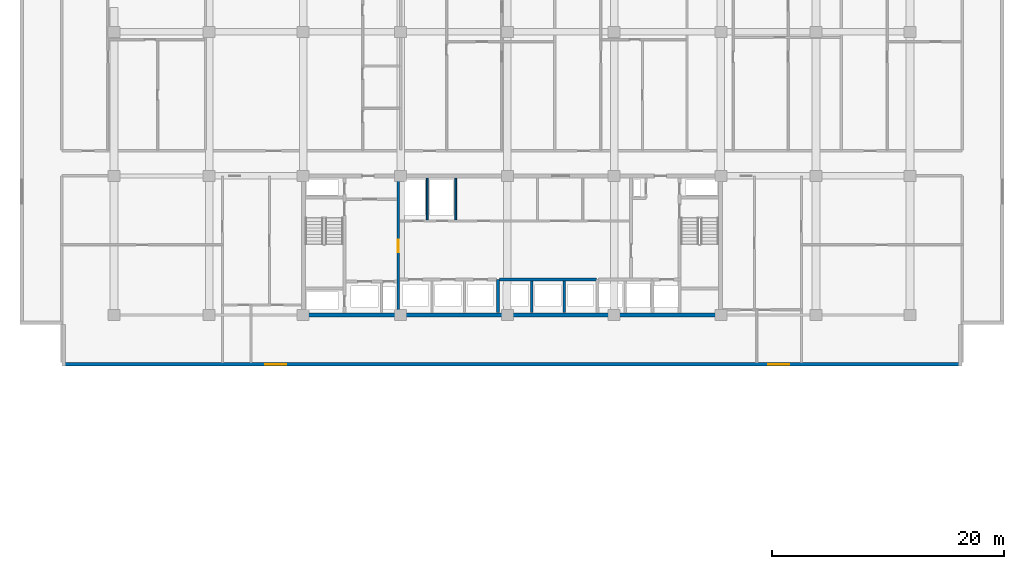
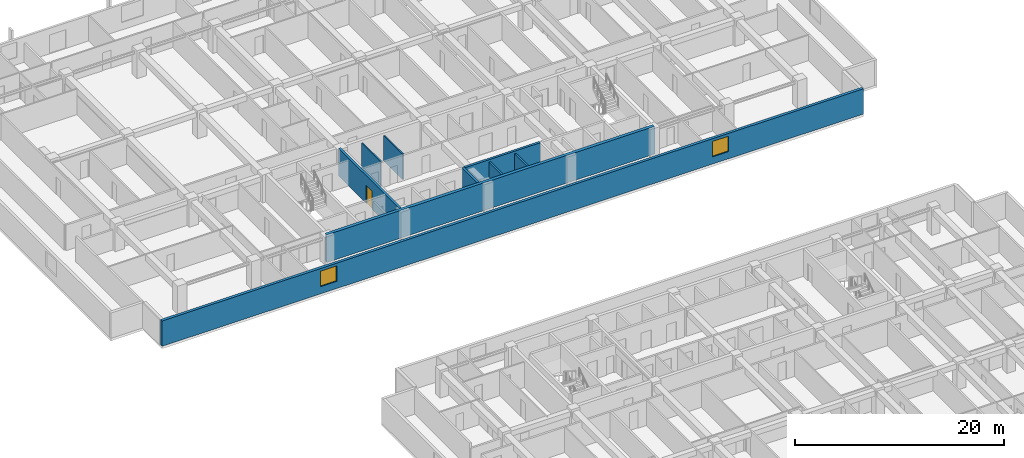
# One storey, part 11 of 23: 9 walls, 2 windows, 1 door, 3 openings.
"""IFC4 building model written with IfcOpenShell, lengths in metres."""

import ifcopenshell
import ifcopenshell.guid

model = None  # the IFC model being written
_history = None  # IfcOwnerHistory: only IFC2X3 demands one
_inside = {}  # id of a spatial element -> (the spatial element, [elements in it])
_under = {}  # id of a project, library or spatial element -> (it, [spatial elements below it])
_declared = {}  # id of a project -> (the project, [libraries it declares])
_typed = {}  # id of a type object -> (the type object, [elements of that type])
_made_of = {}  # id of a material, layer set ... -> (it, [elements and type objects made of it])


def new_model(schema):
    """Start an empty IFC model of exactly this schema.

    Asked for "IFC4X3", IfcOpenShell would pick the latest addendum, in which some entities
    have other attributes; the version numbers below select the first issue.
    IFC2X3 requires an IfcOwnerHistory on every rooted entity: one is made here for all.
    """
    global model, _history
    if schema == "IFC4X3":
        model = ifcopenshell.file(schema_version=(4, 3, 0, 0))
    else:
        model = ifcopenshell.file(schema=schema)
    _inside.clear()
    _under.clear()
    _declared.clear()
    _typed.clear()
    _made_of.clear()
    _history = None
    if model.schema == "IFC2X3":
        org = make("IfcOrganization", Name="unknown")
        user = make(
            "IfcPersonAndOrganization",
            ThePerson=make("IfcPerson", FamilyName="unknown"),
            TheOrganization=org,
        )
        app = make(
            "IfcApplication",
            ApplicationDeveloper=org,
            Version="unknown",
            ApplicationFullName="unknown",
            ApplicationIdentifier="unknown",
        )
        _history = make(
            "IfcOwnerHistory",
            OwningUser=user,
            OwningApplication=app,
            ChangeAction="ADDED",
            CreationDate=0,
        )
    return model


def make(cls, **values):
    """One entity of the class cls with the attributes given. An attribute that is None is left unset."""
    return model.create_entity(
        cls, **{name: value for name, value in values.items() if value is not None}
    )


def rooted(cls, **values):
    """An entity with a GlobalId (a new one), such as an element, a storey or a relation."""
    return make(cls, GlobalId=ifcopenshell.guid.new(), OwnerHistory=_history, **values)


def si_unit(unit_type, name, prefix=None):
    """IfcSIUnit, for example si_unit("LENGTHUNIT", "METRE", prefix="MILLI")."""
    return make("IfcSIUnit", UnitType=unit_type, Prefix=prefix, Name=name)


def assignment(units):
    """IfcUnitAssignment: the units of a project."""
    return None if units is None else make("IfcUnitAssignment", Units=units)


def point(xyz):
    """IfcCartesianPoint."""
    return None if xyz is None else make("IfcCartesianPoint", Coordinates=xyz)


def direction(xyz):
    """IfcDirection."""
    return None if xyz is None else make("IfcDirection", DirectionRatios=xyz)


def frame(location, z_axis=None, x_axis=None):
    """IfcAxis2Placement3D, a coordinate frame: its origin and axes. An axis left out is left unset."""
    return make(
        "IfcAxis2Placement3D",
        Location=point(location),
        Axis=direction(z_axis),
        RefDirection=direction(x_axis),
    )


def frame_2d(location, x_axis=None):
    """IfcAxis2Placement2D, a coordinate frame in the plane: its origin and x axis."""
    return make(
        "IfcAxis2Placement2D", Location=point(location), RefDirection=direction(x_axis)
    )


def origin():
    """The frame at (0, 0, 0) with its axes left unset."""
    return frame((0.0, 0.0, 0.0))


def place(relative_to, where):
    """IfcLocalPlacement: puts the frame where relative to a parent placement (None: the world)."""
    return make(
        "IfcLocalPlacement", PlacementRelTo=relative_to, RelativePlacement=where
    )


def context(
    kind, dimensions, precision=None, world=None, true_north=None, identifier=None
):
    """IfcGeometricRepresentationContext, for example the 3D "Model" context."""
    return make(
        "IfcGeometricRepresentationContext",
        ContextIdentifier=identifier,
        ContextType=kind,
        CoordinateSpaceDimension=dimensions,
        Precision=precision,
        WorldCoordinateSystem=world,
        TrueNorth=true_north,
    )


def subcontext(parent, identifier, kind, view, scale=None):
    """IfcGeometricRepresentationSubContext, for example "Body" below "Model"."""
    return make(
        "IfcGeometricRepresentationSubContext",
        ContextIdentifier=identifier,
        ContextType=kind,
        ParentContext=parent,
        TargetScale=scale,
        TargetView=view,
    )


def project(units=None, contexts=None):
    """IfcProject with its units and contexts."""
    return rooted(
        "IfcProject",
        Name="project",
        RepresentationContexts=contexts,
        UnitsInContext=assignment(units),
    )


def spatial(cls, under=None, at=None, **own):
    """A site, building, storey or space (cls), placed at a placement, below another one or the project."""
    s = rooted(cls, ObjectPlacement=at, **own)
    if under is not None:
        _under.setdefault(under.id(), (under, []))[1].append(s)
    return s


def profile(cls, at=None, kind="AREA", **sizes):
    """A parametric profile (cls). Its sizes go by their IFC names, for example OverallWidth=200.0."""
    return make(cls, ProfileType=kind, Position=at, **sizes)


def rectangle(**sizes):
    """IfcRectangleProfileDef."""
    return profile("IfcRectangleProfileDef", **sizes)


def extrude(swept, where, along, depth):
    """IfcExtrudedAreaSolid: the profile swept, set in the frame where, extruded along a direction by depth."""
    return make(
        "IfcExtrudedAreaSolid",
        SweptArea=swept,
        Position=where,
        ExtrudedDirection=direction(along),
        Depth=depth,
    )


def shape(context_of_items, identifier, shape_type, items):
    """IfcShapeRepresentation: the items that make up one representation, for example the "Body"."""
    return make(
        "IfcShapeRepresentation",
        ContextOfItems=context_of_items,
        RepresentationIdentifier=identifier,
        RepresentationType=shape_type,
        Items=items,
    )


def material(Name=None, Category=None):
    """IfcMaterial."""
    return make("IfcMaterial", Name=Name, Category=Category)


def layer(
    of_material, thickness, ventilated=None, Name=None, Category=None, Priority=None
):
    """IfcMaterialLayer: one layer of a wall or slab, of a material (None: an air gap)."""
    return make(
        "IfcMaterialLayer",
        Material=of_material,
        LayerThickness=thickness,
        IsVentilated=ventilated,
        Name=Name,
        Category=Category,
        Priority=Priority,
    )


def layer_set(layers, Name=None):
    """IfcMaterialLayerSet."""
    return make("IfcMaterialLayerSet", MaterialLayers=layers, LayerSetName=Name)


def made_of(thing, what):
    """Note that an element or type object is made of a material, layer set ...; save() writes the relation."""
    if what is not None:
        _made_of.setdefault(what.id(), (what, []))[1].append(thing)
    return thing


def type_object(cls, material=None, **own):
    """A type object (cls), such as IfcWallType, which elements share."""
    return made_of(rooted(cls, **own), material)


def element(
    cls,
    number,
    at=None,
    inside=None,
    cuts=None,
    type_object=None,
    material=None,
    context=None,
    identifier="Body",
    shape_type=None,
    held_by="IfcProductDefinitionShape",
    body=None,
    shapes=None,
    **own,
):
    """One element of the class cls, such as IfcWall. Its Tag is "e" and its number.

    at: its placement. inside: the storey or other place that contains it. cuts: it is an
    opening in that element (IfcRelVoidsElement). A single representation is given by context,
    identifier, shape_type and body (its items); several are given by shapes. held_by: the class
    of the entity that holds the representations. save() writes the other relations.
    """
    e = rooted(cls, Tag="e%d" % number, ObjectPlacement=at, **own)
    if body is not None:
        shapes = [shape(context, identifier, shape_type, body)]
    if shapes is not None:
        e.Representation = make(held_by, Representations=shapes)
    if inside is not None:
        _inside.setdefault(inside.id(), (inside, []))[1].append(e)
    if cuts is not None:
        rooted(
            "IfcRelVoidsElement", RelatingBuildingElement=cuts, RelatedOpeningElement=e
        )
    if type_object is not None:
        _typed.setdefault(type_object.id(), (type_object, []))[1].append(e)
    return made_of(e, material)


def fill(opening, filler):
    """IfcRelFillsElement: the door or window that sits in an opening."""
    return rooted(
        "IfcRelFillsElement",
        RelatingOpeningElement=opening,
        RelatedBuildingElement=filler,
    )


def aggregate(whole, parts):
    """IfcRelAggregates: a whole, such as a stair, and the parts it consists of."""
    return rooted("IfcRelAggregates", RelatingObject=whole, RelatedObjects=parts)


def save(model, path):
    """Write the relations noted so far, then the file.

    IfcRelAggregates (storeys below a building ...), IfcRelContainedInSpatialStructure (elements
    in a storey), IfcRelDefinesByType, IfcRelAssociatesMaterial and IfcRelDeclares: one each for
    every whole, place, type object, material and project.
    """
    for whole, parts in _under.values():
        aggregate(whole, parts)
    for where, things in _inside.values():
        rooted(
            "IfcRelContainedInSpatialStructure",
            RelatedElements=things,
            RelatingStructure=where,
        )
    for kind, things in _typed.values():
        rooted("IfcRelDefinesByType", RelatedObjects=things, RelatingType=kind)
    for what, things in _made_of.values():
        rooted("IfcRelAssociatesMaterial", RelatedObjects=things, RelatingMaterial=what)
    for by, libraries in _declared.values():
        rooted("IfcRelDeclares", RelatingContext=by, RelatedDefinitions=libraries)
    model.write(path)


model = new_model("IFC4")

# Units and contexts
model_context = context("Model", 3, precision=1e-05, world=origin(), true_north=direction((0.0, 1.0)))
body_context = subcontext(model_context, "Body", "Model", "MODEL_VIEW")
ifc_project = project(units=[si_unit("LENGTHUNIT", "METRE"), si_unit("AREAUNIT", "SQUARE_METRE"), si_unit("VOLUMEUNIT", "CUBIC_METRE"), si_unit("PLANEANGLEUNIT", "RADIAN"), si_unit("MASSUNIT", "GRAM", prefix="KILO")], contexts=[model_context])

# Site, building, storey
site_placement = place(None, origin())
site = spatial("IfcSite", under=ifc_project, at=site_placement, CompositionType="ELEMENT")
building_placement = place(site_placement, origin())
building = spatial("IfcBuilding", under=site, at=building_placement, Name="Korimba Cascade Residences", CompositionType="ELEMENT")
storey_placement = place(building_placement, frame((0.0, 0.0, 37.0)))
storey = spatial("IfcBuildingStorey", under=building, at=storey_placement, Name="L09", CompositionType="ELEMENT", Elevation=37.0)

# Wall, openings, windows
ifc_material_1 = material(Name="Precast concrete C40/50", Category="concrete")
ifc_layer_1 = layer(ifc_material_1, 0.300048828125)
ifc_layer_set_1 = layer_set([ifc_layer_1], Name="Precast concrete C40/50")
wall_type_1 = type_object("IfcWallType", Name="EW-STONE-300", PredefinedType="STANDARD", material=ifc_layer_set_1)
wall_1_placement = place(storey_placement, frame((55.300048828125, 50.949951171875, 0.0), z_axis=(0.0, 0.0, 1.0), x_axis=(1.0, 0.0, 0.0)))
wall_1 = element("IfcWall", 1, at=wall_1_placement, inside=storey, type_object=wall_type_1, Name="L09 T1 Perimeter Stone Wall E00", PredefinedType="STANDARD", context=body_context, shape_type="SweptSolid", body=[
    extrude(rectangle(XDim=77.599853515625, YDim=0.300048828125, at=frame_2d((38.7998046875, 0.0))), origin(), (0.0, 0.0, 1.0), 2.969970703125),
])
opening_1_placement = place(wall_1_placement, frame((17.52490234375, 0.0, 0.85009765625)))
opening_1 = element("IfcOpeningElement", 2, at=opening_1_placement, cuts=wall_1, Name="Opening W-02", PredefinedType="OPENING", context=body_context, shape_type="SweptSolid", body=[
    extrude(rectangle(XDim=1.800048828125, YDim=1.800048828125, at=frame_2d((0.89990234375, 0.89990234375))), frame((0.0, 0.16015625, 0.0), z_axis=(0.0, -1.0, 0.0), x_axis=(1.0, 0.0, 0.0)), (0.0, 0.0, 1.0), 0.320068359375),
])
opening_2_placement = place(wall_1_placement, frame((60.875, 0.0, 0.85009765625)))
opening_2 = element("IfcOpeningElement", 3, at=opening_2_placement, cuts=wall_1, Name="Opening W-02", PredefinedType="OPENING", context=body_context, shape_type="SweptSolid", body=[
    extrude(rectangle(XDim=1.800048828125, YDim=1.800048828125, at=frame_2d((0.89990234375, 0.89990234375))), frame((0.0, 0.16015625, 0.0), z_axis=(0.0, -1.0, 0.0), x_axis=(1.0, 0.0, 0.0)), (0.0, 0.0, 1.0), 0.320068359375),
])
ifc_material_2 = material(Name="Double-Glazed Aluminium Window", Category="aluminium")
window_type = type_object("IfcWindowType", Name="WIN-BED-1800", PartitioningType="SINGLE_PANEL", PredefinedType="WINDOW", material=ifc_material_2)
window_1_placement = place(opening_1_placement, origin())
window_1 = element("IfcWindow", 4, at=window_1_placement, inside=storey, type_object=window_type, Name="L09 T1 South Corner Bedroom Window 1", OverallHeight=1.800048828125, OverallWidth=1.800048828125, PartitioningType="SINGLE_PANEL", PredefinedType="WINDOW", context=body_context, shape_type="SweptSolid", body=[
    extrude(rectangle(XDim=1.800048828125, YDim=1.800048828125, at=frame_2d((0.89990234375, 0.89990234375))), frame((0.0, 0.030029296875, 0.0), z_axis=(0.0, -1.0, 0.0), x_axis=(1.0, 0.0, 0.0)), (0.0, 0.0, 1.0), 0.06005859375),
])
fill(opening_1, window_1)
window_2_placement = place(opening_2_placement, origin())
window_2 = element("IfcWindow", 5, at=window_2_placement, inside=storey, type_object=window_type, Name="L09 T1 South Corner Bedroom Window 2", OverallHeight=1.800048828125, OverallWidth=1.800048828125, PartitioningType="SINGLE_PANEL", PredefinedType="WINDOW", context=body_context, shape_type="SweptSolid", body=[
    extrude(rectangle(XDim=1.800048828125, YDim=1.800048828125, at=frame_2d((0.89990234375, 0.89990234375))), frame((0.0, 0.030029296875, 0.0), z_axis=(0.0, -1.0, 0.0), x_axis=(1.0, 0.0, 0.0)), (0.0, 0.0, 1.0), 0.06005859375),
])
fill(opening_2, window_2)

# Walls
ifc_material_3 = material(Name="Concrete C65/80", Category="concrete")
ifc_layer_2 = layer(ifc_material_3, 0.35009765625)
ifc_layer_set_2 = layer_set([ifc_layer_2], Name="Concrete C65/80")
wall_type_2 = type_object("IfcWallType", Name="WAL-CORE-350", PredefinedType="SHEAR", material=ifc_layer_set_2)
wall_2_placement = place(storey_placement, frame((75.949951171875, 55.199951171875, 0.0), z_axis=(0.0, 0.0, 1.0), x_axis=(1.0, 0.0, 0.0)))
element("IfcWall", 6, at=wall_2_placement, inside=storey, type_object=wall_type_2, Name="L09 Core Shear Wall CW-L09-T1-S", PredefinedType="SHEAR", context=body_context, shape_type="SweptSolid", body=[
    extrude(rectangle(XDim=36.300048828125, YDim=0.35009765625, at=frame_2d((18.14990234375, 0.0))), origin(), (0.0, 0.0, 1.0), 3.25),
])
ifc_material_4 = material(Name="Insulated Acoustic Stud Partition", Category="gypsum")
ifc_layer_3 = layer(ifc_material_4, 0.14990234375)
ifc_layer_set_3 = layer_set([ifc_layer_3], Name="Insulated Acoustic Stud Partition")
wall_type_3 = type_object("IfcWallType", Name="WAL-PART-150", PredefinedType="PARTITIONING", material=ifc_layer_set_3)
for number, where, z_axis, x_axis, name in (
    (7, (86.800048828125, 63.39990234375, 0.0), (0.0, 0.0, 1.0), (0.0, 1.0, 0.0), "L09 Partition Wall CW-L09-T1-ERDIV"),
    (8, (89.25, 63.39990234375, 0.0), (0.0, 0.0, 1.0), (0.0, 1.0, 0.0), "L09 Partition Wall CW-L09-T1-PRDIV"),
):
    element("IfcWall", number, at=place(storey_placement, frame(where, z_axis=z_axis, x_axis=x_axis)), inside=storey, type_object=wall_type_3, Name=name, PredefinedType="PARTITIONING", context=body_context, shape_type="SweptSolid", body=[
        extrude(rectangle(XDim=3.60009765625, YDim=0.14990234375, at=frame_2d((1.800048828125, 0.0))), origin(), (0.0, 0.0, 1.0), 2.969970703125),
    ])
ifc_material_5 = material(Name="Concrete C40/50", Category="concrete")
ifc_layer_4 = layer(ifc_material_5, 0.199951171875)
ifc_layer_set_4 = layer_set([ifc_layer_4], Name="Concrete C40/50")
wall_type_4 = type_object("IfcWallType", Name="WAL-PART-200", PredefinedType="PARTITIONING", material=ifc_layer_set_4)
for number, where, z_axis, x_axis, name in (
    (9, (95.800048828125, 55.39990234375, 0.0), (0.0, 0.0, 1.0), (0.0, 1.0, 0.0), "L09 Partition Wall CW-L09-T1-B2D1"),
    (10, (98.60009765625, 55.39990234375, 0.0), (0.0, 0.0, 1.0), (0.0, 1.0, 0.0), "L09 Partition Wall CW-L09-T1-B2D2"),
):
    element("IfcWall", number, at=place(storey_placement, frame(where, z_axis=z_axis, x_axis=x_axis)), inside=storey, type_object=wall_type_4, Name=name, PredefinedType="PARTITIONING", context=body_context, shape_type="SweptSolid", body=[
        extrude(rectangle(XDim=2.72021484375, YDim=0.199951171875, at=frame_2d((1.360107421875, 0.0))), origin(), (0.0, 0.0, 1.0), 2.969970703125),
    ])

# Wall, opening, door
ifc_material_6 = material(Name="Concrete C50/60", Category="concrete")
ifc_layer_5 = layer(ifc_material_6, 0.25)
ifc_layer_set_5 = layer_set([ifc_layer_5], Name="Concrete C50/60")
wall_type_5 = type_object("IfcWallType", Name="WAL-SHAFT-250", PredefinedType="SHEAR", material=ifc_layer_set_5)
wall_3_placement = place(storey_placement, frame((84.300048828125, 55.39990234375, 0.0), z_axis=(0.0, 0.0, 1.0), x_axis=(0.0, 1.0, 0.0)))
wall_3 = element("IfcWall", 11, at=wall_3_placement, inside=storey, type_object=wall_type_5, Name="L09 Core Shear Wall CW-L09-T1-FFLE", PredefinedType="SHEAR", context=body_context, shape_type="SweptSolid", body=[
    extrude(rectangle(XDim=11.60009765625, YDim=0.25, at=frame_2d((5.800048828125, 0.0))), origin(), (0.0, 0.0, 1.0), 3.25),
])
opening_3_placement = place(wall_3_placement, frame((5.199951171875, 0.0, 0.0)))
opening_3 = element("IfcOpeningElement", 12, at=opening_3_placement, cuts=wall_3, Name="Opening D-FD1", PredefinedType="OPENING", context=body_context, shape_type="SweptSolid", body=[
    extrude(rectangle(XDim=1.10009765625, YDim=2.10009765625, at=frame_2d((0.550048828125, 1.050048828125))), frame((0.0, 0.135009765625, 0.0), z_axis=(0.0, -1.0, 0.0), x_axis=(1.0, 0.0, 0.0)), (0.0, 0.0, 1.0), 0.27001953125),
])
ifc_material_7 = material(Name="Fire-Rated Steel Core Door", Category="steel")
door_type = type_object("IfcDoorType", Name="DR-FD120-1100", OperationType="NOTDEFINED", PredefinedType="DOOR", material=ifc_material_7)
door_placement = place(opening_3_placement, origin())
door = element("IfcDoor", 13, at=door_placement, inside=storey, type_object=door_type, Name="L09 Firefighting Lobby to Lift Lobby Door", OperationType="SINGLE_SWING_LEFT", OverallHeight=2.10009765625, OverallWidth=1.10009765625, PredefinedType="DOOR", context=body_context, shape_type="SweptSolid", body=[
    extrude(rectangle(XDim=1.10009765625, YDim=2.10009765625, at=frame_2d((0.550048828125, 1.050048828125))), frame((0.0, 0.02490234375, 0.0), z_axis=(0.0, -1.0, 0.0), x_axis=(1.0, 0.0, 0.0)), (0.0, 0.0, 1.0), 0.050048828125),
])
fill(opening_3, door)

# Walls
wall_4_placement = place(storey_placement, frame((92.89990234375, 55.39990234375, 0.0), z_axis=(0.0, 0.0, 1.0), x_axis=(0.0, 1.0, 0.0)))
element("IfcWall", 14, at=wall_4_placement, inside=storey, type_object=wall_type_5, Name="L09 Core Shear Wall CW-L09-T1-B12DIV", PredefinedType="SHEAR", context=body_context, shape_type="SweptSolid", body=[
    extrude(rectangle(XDim=2.85009765625, YDim=0.25, at=frame_2d((1.425048828125, 0.0))), origin(), (0.0, 0.0, 1.0), 3.25),
])
wall_5_placement = place(storey_placement, frame((93.02001953125, 58.25, 0.0), z_axis=(0.0, 0.0, 1.0), x_axis=(1.0, 0.0, 0.0)))
element("IfcWall", 15, at=wall_5_placement, inside=storey, type_object=wall_type_5, Name="L09 Core Shear Wall CW-L09-T1-B2N", PredefinedType="SHEAR", context=body_context, shape_type="SweptSolid", body=[
    extrude(rectangle(XDim=8.35986328125, YDim=0.25, at=frame_2d((4.179931640625, 0.0))), origin(), (0.0, 0.0, 1.0), 3.25),
])

save(model, "model.ifc")
